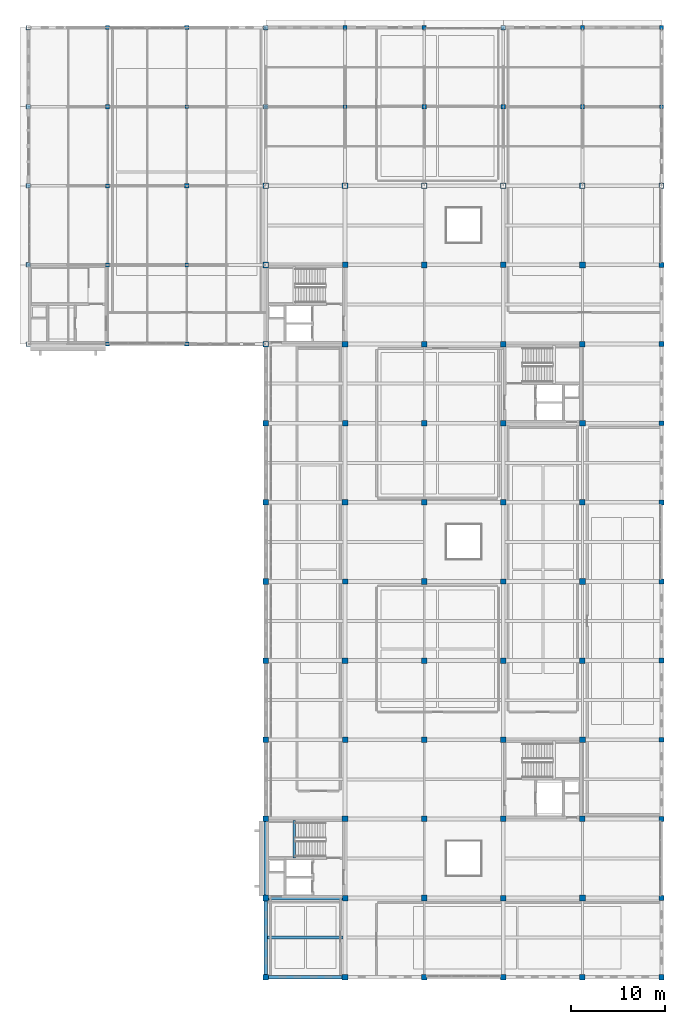
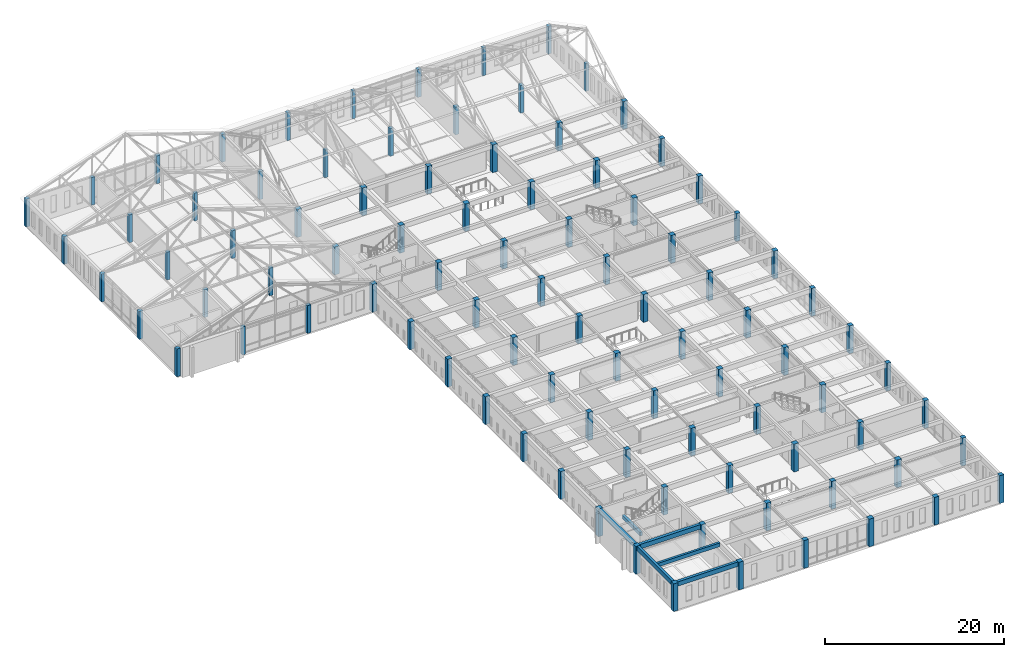
# One storey, part 1 of 56: 93 columns, 6 beams.
"""IFC4 building model written with IfcOpenShell, lengths in metres."""

from ifc_helpers import new_model, si_unit, direction, frame, origin, origin_2d, place, context, subcontext, project, spatial, rectangle, extrude, material, material_profile, profile_set, type_object, element, save


model = new_model("IFC4")

# Units and contexts
model_context = context("Model", 3, precision=1e-05, world=origin(), true_north=direction((0.0, 1.0)))
body_context = subcontext(model_context, "Body", "Model", "MODEL_VIEW")
ifc_project = project(units=[si_unit("LENGTHUNIT", "METRE"), si_unit("AREAUNIT", "SQUARE_METRE"), si_unit("VOLUMEUNIT", "CUBIC_METRE"), si_unit("PLANEANGLEUNIT", "RADIAN"), si_unit("MASSUNIT", "GRAM", prefix="KILO")], contexts=[model_context])

# Site, building, storey
site_placement = place(None, origin())
site = spatial("IfcSite", under=ifc_project, at=site_placement, CompositionType="ELEMENT")
building_placement = place(site_placement, origin())
building = spatial("IfcBuilding", under=site, at=building_placement, Name="Kveldsbrygga Polytechnic", CompositionType="ELEMENT")
storey_placement = place(building_placement, frame((0.0, 0.0, 18.02001953125)))
storey = spatial("IfcBuildingStorey", under=building, at=storey_placement, Name="L04", CompositionType="ELEMENT", Elevation=18.02001953125)

# Columns
ifc_material_1 = material(Name="Concrete C45/55", Category="concrete")
ifc_material_profile_1 = material_profile(ifc_material_1, rectangle(XDim=0.39990234375, YDim=0.39990234375, at=origin_2d()), Name="RC 400x400")
ifc_profile_set_1 = profile_set([ifc_material_profile_1], Name="Concrete C45/55")
column_type_1 = type_object("IfcColumnType", Name="COL-RC-400", PredefinedType="COLUMN", material=ifc_profile_set_1)
for number, where, z_axis, x_axis, name in (
    (1, (117.60009765625, 92.39990234375, 0.0), (0.0, 0.0, 1.0), (1.0, 0.0, 0.0), "Column COL-L04-14-11"),
    (2, (117.60009765625, 109.199951171875, 0.0), (0.0, 0.0, 1.0), (1.0, 0.0, 0.0), "Column COL-L04-14-13"),
    (3, (134.39990234375, 109.199951171875, 0.0), (0.0, 0.0, 1.0), (1.0, 0.0, 0.0), "Column COL-L04-16-13"),
    (4, (168.0, 109.199951171875, 0.0), (0.0, 0.0, 1.0), (1.0, 0.0, 0.0), "Column COL-L04-20-13"),
):
    element("IfcColumn", number, at=place(storey_placement, frame(where, z_axis=z_axis, x_axis=x_axis)), inside=storey, type_object=column_type_1, Name=name, PredefinedType="COLUMN", context=body_context, shape_type="SweptSolid", body=[
        extrude(rectangle(XDim=0.39990234375, YDim=0.39990234375, at=origin_2d()), origin(), (0.0, 0.0, 1.0), 3.780029296875),
    ])
ifc_material_profile_2 = material_profile(ifc_material_1, rectangle(XDim=0.419921875, YDim=0.419921875, at=origin_2d()), Name="RC 420x420")
ifc_profile_set_2 = profile_set([ifc_material_profile_2], Name="Concrete C45/55")
column_type_2 = type_object("IfcColumnType", Name="COL-RC-420", PredefinedType="COLUMN", material=ifc_profile_set_2)
for number, where, z_axis, x_axis, name in (
    (5, (109.199951171875, 84.0, 0.0), (0.0, 0.0, 1.0), (1.0, 0.0, 0.0), "Column COL-L04-13-10"),
    (6, (109.199951171875, 100.800048828125, 0.0), (0.0, 0.0, 1.0), (1.0, 0.0, 0.0), "Column COL-L04-13-12"),
    (7, (109.199951171875, 117.60009765625, 0.0), (0.0, 0.0, 1.0), (1.0, 0.0, 0.0), "Column COL-L04-13-14"),
    (8, (142.800048828125, 117.60009765625, 0.0), (0.0, 0.0, 1.0), (1.0, 0.0, 0.0), "Column COL-L04-17-14"),
    (9, (159.60009765625, 117.60009765625, 0.0), (0.0, 0.0, 1.0), (1.0, 0.0, 0.0), "Column COL-L04-19-14"),
):
    element("IfcColumn", number, at=place(storey_placement, frame(where, z_axis=z_axis, x_axis=x_axis)), inside=storey, type_object=column_type_2, Name=name, PredefinedType="COLUMN", context=body_context, shape_type="SweptSolid", body=[
        extrude(rectangle(XDim=0.419921875, YDim=0.419921875, at=origin_2d()), origin(), (0.0, 0.0, 1.0), 3.780029296875),
    ])
ifc_material_profile_3 = material_profile(ifc_material_1, rectangle(XDim=0.449951171875, YDim=0.449951171875, at=origin_2d()), Name="RC 450x450")
ifc_profile_set_3 = profile_set([ifc_material_profile_3], Name="Concrete C45/55")
column_type_3 = type_object("IfcColumnType", Name="COL-RC-450", PredefinedType="COLUMN", material=ifc_profile_set_3)
for number, where, z_axis, x_axis, name in (
    (10, (109.199951171875, 92.39990234375, 0.0), (0.0, 0.0, 1.0), (1.0, 0.0, 0.0), "Column COL-L04-13-11"),
    (11, (109.199951171875, 109.199951171875, 0.0), (0.0, 0.0, 1.0), (1.0, 0.0, 0.0), "Column COL-L04-13-13"),
    (12, (117.60009765625, 84.0, 0.0), (0.0, 0.0, 1.0), (1.0, 0.0, 0.0), "Column COL-L04-14-10"),
    (13, (117.60009765625, 100.800048828125, 0.0), (0.0, 0.0, 1.0), (1.0, 0.0, 0.0), "Column COL-L04-14-12"),
    (14, (117.60009765625, 117.60009765625, 0.0), (0.0, 0.0, 1.0), (1.0, 0.0, 0.0), "Column COL-L04-14-14"),
    (15, (134.39990234375, 117.60009765625, 0.0), (0.0, 0.0, 1.0), (1.0, 0.0, 0.0), "Column COL-L04-16-14"),
    (16, (142.800048828125, 109.199951171875, 0.0), (0.0, 0.0, 1.0), (1.0, 0.0, 0.0), "Column COL-L04-17-13"),
    (17, (159.60009765625, 109.199951171875, 0.0), (0.0, 0.0, 1.0), (1.0, 0.0, 0.0), "Column COL-L04-19-13"),
    (18, (168.0, 117.60009765625, 0.0), (0.0, 0.0, 1.0), (1.0, 0.0, 0.0), "Column COL-L04-20-14"),
):
    element("IfcColumn", number, at=place(storey_placement, frame(where, z_axis=z_axis, x_axis=x_axis)), inside=storey, type_object=column_type_3, Name=name, PredefinedType="COLUMN", context=body_context, shape_type="SweptSolid", body=[
        extrude(rectangle(XDim=0.449951171875, YDim=0.449951171875, at=origin_2d()), origin(), (0.0, 0.0, 1.0), 3.780029296875),
    ])
ifc_material_profile_4 = material_profile(ifc_material_1, rectangle(XDim=0.47998046875, YDim=0.47998046875, at=origin_2d()), Name="RC 480x480")
ifc_profile_set_4 = profile_set([ifc_material_profile_4], Name="Concrete C45/55")
column_type_4 = type_object("IfcColumnType", Name="COL-RC-480", PredefinedType="COLUMN", material=ifc_profile_set_4)
for number, where, z_axis, x_axis, name in (
    (19, (100.800048828125, 84.0, 0.0), (0.0, 0.0, 1.0), (1.0, 0.0, 0.0), "Column COL-L04-12-10"),
    (20, (100.800048828125, 92.39990234375, 0.0), (0.0, 0.0, 1.0), (1.0, 0.0, 0.0), "Column COL-L04-12-11"),
    (21, (100.800048828125, 100.800048828125, 0.0), (0.0, 0.0, 1.0), (1.0, 0.0, 0.0), "Column COL-L04-12-12"),
    (22, (100.800048828125, 109.199951171875, 0.0), (0.0, 0.0, 1.0), (1.0, 0.0, 0.0), "Column COL-L04-12-13"),
    (23, (100.800048828125, 117.60009765625, 0.0), (0.0, 0.0, 1.0), (1.0, 0.0, 0.0), "Column COL-L04-12-14"),
    (24, (126.0, 109.199951171875, 0.0), (0.0, 0.0, 1.0), (1.0, 0.0, 0.0), "Column COL-L04-15-13"),
    (25, (126.0, 117.60009765625, 0.0), (0.0, 0.0, 1.0), (1.0, 0.0, 0.0), "Column COL-L04-15-14"),
    (26, (151.199951171875, 109.199951171875, 0.0), (0.0, 0.0, 1.0), (1.0, 0.0, 0.0), "Column COL-L04-18-13"),
    (27, (151.199951171875, 117.60009765625, 0.0), (0.0, 0.0, 1.0), (1.0, 0.0, 0.0), "Column COL-L04-18-14"),
):
    element("IfcColumn", number, at=place(storey_placement, frame(where, z_axis=z_axis, x_axis=x_axis)), inside=storey, type_object=column_type_4, Name=name, PredefinedType="COLUMN", context=body_context, shape_type="SweptSolid", body=[
        extrude(rectangle(XDim=0.47998046875, YDim=0.47998046875, at=origin_2d()), origin(), (0.0, 0.0, 1.0), 3.780029296875),
    ])
ifc_material_profile_5 = material_profile(ifc_material_1, rectangle(XDim=0.52001953125, YDim=0.52001953125, at=origin_2d()), Name="RC 520x520")
ifc_profile_set_5 = profile_set([ifc_material_profile_5], Name="Concrete C45/55")
column_type_5 = type_object("IfcColumnType", Name="COL-RC-520", PredefinedType="COLUMN", material=ifc_profile_set_5)
for number, where, z_axis, x_axis, name in (
    (28, (168.0, 25.199951171875, 0.0), (0.0, 0.0, 1.0), (1.0, 0.0, 0.0), "Column COL-L04-20-03"),
    (29, (168.0, 42.0, 0.0), (0.0, 0.0, 1.0), (1.0, 0.0, 0.0), "Column COL-L04-20-05"),
    (30, (168.0, 58.800048828125, 0.0), (0.0, 0.0, 1.0), (1.0, 0.0, 0.0), "Column COL-L04-20-07"),
    (31, (168.0, 75.60009765625, 0.0), (0.0, 0.0, 1.0), (1.0, 0.0, 0.0), "Column COL-L04-20-09"),
    (32, (168.0, 92.39990234375, 0.0), (0.0, 0.0, 1.0), (1.0, 0.0, 0.0), "Column COL-L04-20-11"),
):
    element("IfcColumn", number, at=place(storey_placement, frame(where, z_axis=z_axis, x_axis=x_axis)), inside=storey, type_object=column_type_5, Name=name, PredefinedType="COLUMN", context=body_context, shape_type="SweptSolid", body=[
        extrude(rectangle(XDim=0.52001953125, YDim=0.52001953125, at=origin_2d()), origin(), (0.0, 0.0, 1.0), 3.780029296875),
    ])
ifc_material_profile_6 = material_profile(ifc_material_1, rectangle(XDim=0.550048828125, YDim=0.550048828125, at=origin_2d()), Name="RC 550x550")
ifc_profile_set_6 = profile_set([ifc_material_profile_6], Name="Concrete C45/55")
column_type_6 = type_object("IfcColumnType", Name="COL-RC-550", PredefinedType="COLUMN", material=ifc_profile_set_6)
for number, where, z_axis, x_axis, name in (
    (33, (168.0, 16.800048828125, 0.0), (0.0, 0.0, 1.0), (1.0, 0.0, 0.0), "Column COL-L04-20-02"),
    (34, (168.0, 33.60009765625, 0.0), (0.0, 0.0, 1.0), (1.0, 0.0, 0.0), "Column COL-L04-20-04"),
    (35, (168.0, 50.39990234375, 0.0), (0.0, 0.0, 1.0), (1.0, 0.0, 0.0), "Column COL-L04-20-06"),
    (36, (168.0, 67.199951171875, 0.0), (0.0, 0.0, 1.0), (1.0, 0.0, 0.0), "Column COL-L04-20-08"),
    (37, (168.0, 84.0, 0.0), (0.0, 0.0, 1.0), (1.0, 0.0, 0.0), "Column COL-L04-20-10"),
    (38, (168.0, 100.800048828125, 0.0), (0.0, 0.0, 1.0), (1.0, 0.0, 0.0), "Column COL-L04-20-12"),
):
    element("IfcColumn", number, at=place(storey_placement, frame(where, z_axis=z_axis, x_axis=x_axis)), inside=storey, type_object=column_type_6, Name=name, PredefinedType="COLUMN", context=body_context, shape_type="SweptSolid", body=[
        extrude(rectangle(XDim=0.550048828125, YDim=0.550048828125, at=origin_2d()), origin(), (0.0, 0.0, 1.0), 3.780029296875),
    ])
ifc_material_profile_7 = material_profile(ifc_material_1, rectangle(XDim=0.580078125, YDim=0.580078125, at=origin_2d()), Name="RC 580x580")
ifc_profile_set_7 = profile_set([ifc_material_profile_7], Name="Concrete C45/55")
column_type_7 = type_object("IfcColumnType", Name="COL-RC-580", PredefinedType="COLUMN", material=ifc_profile_set_7)
for number, where, z_axis, x_axis, name in (
    (39, (126.0, 16.800048828125, 0.0), (0.0, 0.0, 1.0), (1.0, 0.0, 0.0), "Column COL-L04-15-02"),
    (40, (126.0, 33.60009765625, 0.0), (0.0, 0.0, 1.0), (1.0, 0.0, 0.0), "Column COL-L04-15-04"),
    (41, (126.0, 50.39990234375, 0.0), (0.0, 0.0, 1.0), (1.0, 0.0, 0.0), "Column COL-L04-15-06"),
    (42, (126.0, 67.199951171875, 0.0), (0.0, 0.0, 1.0), (1.0, 0.0, 0.0), "Column COL-L04-15-08"),
    (43, (126.0, 84.0, 0.0), (0.0, 0.0, 1.0), (1.0, 0.0, 0.0), "Column COL-L04-15-10"),
    (44, (126.0, 100.800048828125, 0.0), (0.0, 0.0, 1.0), (1.0, 0.0, 0.0), "Column COL-L04-15-12"),
    (45, (134.39990234375, 25.199951171875, 0.0), (0.0, 0.0, 1.0), (1.0, 0.0, 0.0), "Column COL-L04-16-03"),
    (46, (134.39990234375, 42.0, 0.0), (0.0, 0.0, 1.0), (1.0, 0.0, 0.0), "Column COL-L04-16-05"),
    (47, (134.39990234375, 58.800048828125, 0.0), (0.0, 0.0, 1.0), (1.0, 0.0, 0.0), "Column COL-L04-16-07"),
    (48, (134.39990234375, 75.60009765625, 0.0), (0.0, 0.0, 1.0), (1.0, 0.0, 0.0), "Column COL-L04-16-09"),
    (49, (134.39990234375, 92.39990234375, 0.0), (0.0, 0.0, 1.0), (1.0, 0.0, 0.0), "Column COL-L04-16-11"),
    (50, (142.800048828125, 16.800048828125, 0.0), (0.0, 0.0, 1.0), (1.0, 0.0, 0.0), "Column COL-L04-17-02"),
    (51, (142.800048828125, 33.60009765625, 0.0), (0.0, 0.0, 1.0), (1.0, 0.0, 0.0), "Column COL-L04-17-04"),
    (52, (142.800048828125, 50.39990234375, 0.0), (0.0, 0.0, 1.0), (1.0, 0.0, 0.0), "Column COL-L04-17-06"),
    (53, (142.800048828125, 67.199951171875, 0.0), (0.0, 0.0, 1.0), (1.0, 0.0, 0.0), "Column COL-L04-17-08"),
    (54, (142.800048828125, 84.0, 0.0), (0.0, 0.0, 1.0), (1.0, 0.0, 0.0), "Column COL-L04-17-10"),
    (55, (142.800048828125, 100.800048828125, 0.0), (0.0, 0.0, 1.0), (1.0, 0.0, 0.0), "Column COL-L04-17-12"),
    (56, (151.199951171875, 25.199951171875, 0.0), (0.0, 0.0, 1.0), (1.0, 0.0, 0.0), "Column COL-L04-18-03"),
    (57, (151.199951171875, 42.0, 0.0), (0.0, 0.0, 1.0), (1.0, 0.0, 0.0), "Column COL-L04-18-05"),
    (58, (151.199951171875, 58.800048828125, 0.0), (0.0, 0.0, 1.0), (1.0, 0.0, 0.0), "Column COL-L04-18-07"),
    (59, (151.199951171875, 75.60009765625, 0.0), (0.0, 0.0, 1.0), (1.0, 0.0, 0.0), "Column COL-L04-18-09"),
    (60, (151.199951171875, 92.39990234375, 0.0), (0.0, 0.0, 1.0), (1.0, 0.0, 0.0), "Column COL-L04-18-11"),
    (61, (159.60009765625, 16.800048828125, 0.0), (0.0, 0.0, 1.0), (1.0, 0.0, 0.0), "Column COL-L04-19-02"),
    (62, (159.60009765625, 33.60009765625, 0.0), (0.0, 0.0, 1.0), (1.0, 0.0, 0.0), "Column COL-L04-19-04"),
    (63, (159.60009765625, 50.39990234375, 0.0), (0.0, 0.0, 1.0), (1.0, 0.0, 0.0), "Column COL-L04-19-06"),
    (64, (159.60009765625, 67.199951171875, 0.0), (0.0, 0.0, 1.0), (1.0, 0.0, 0.0), "Column COL-L04-19-08"),
    (65, (159.60009765625, 84.0, 0.0), (0.0, 0.0, 1.0), (1.0, 0.0, 0.0), "Column COL-L04-19-10"),
    (66, (159.60009765625, 100.800048828125, 0.0), (0.0, 0.0, 1.0), (1.0, 0.0, 0.0), "Column COL-L04-19-12"),
):
    element("IfcColumn", number, at=place(storey_placement, frame(where, z_axis=z_axis, x_axis=x_axis)), inside=storey, type_object=column_type_7, Name=name, PredefinedType="COLUMN", context=body_context, shape_type="SweptSolid", body=[
        extrude(rectangle(XDim=0.580078125, YDim=0.580078125, at=origin_2d()), origin(), (0.0, 0.0, 1.0), 3.780029296875),
    ])
ifc_material_profile_8 = material_profile(ifc_material_1, rectangle(XDim=0.60009765625, YDim=0.60009765625, at=origin_2d()), Name="RC 600x600")
ifc_profile_set_8 = profile_set([ifc_material_profile_8], Name="Concrete C45/55")
column_type_8 = type_object("IfcColumnType", Name="COL-RC-600", PredefinedType="COLUMN", material=ifc_profile_set_8)
for number, where, z_axis, x_axis, name in (
    (67, (126.0, 25.199951171875, 0.0), (0.0, 0.0, 1.0), (1.0, 0.0, 0.0), "Column COL-L04-15-03"),
    (68, (126.0, 42.0, 0.0), (0.0, 0.0, 1.0), (1.0, 0.0, 0.0), "Column COL-L04-15-05"),
    (69, (126.0, 58.800048828125, 0.0), (0.0, 0.0, 1.0), (1.0, 0.0, 0.0), "Column COL-L04-15-07"),
    (70, (126.0, 75.60009765625, 0.0), (0.0, 0.0, 1.0), (1.0, 0.0, 0.0), "Column COL-L04-15-09"),
    (71, (126.0, 92.39990234375, 0.0), (0.0, 0.0, 1.0), (1.0, 0.0, 0.0), "Column COL-L04-15-11"),
    (72, (134.39990234375, 16.800048828125, 0.0), (0.0, 0.0, 1.0), (1.0, 0.0, 0.0), "Column COL-L04-16-02"),
    (73, (134.39990234375, 33.60009765625, 0.0), (0.0, 0.0, 1.0), (1.0, 0.0, 0.0), "Column COL-L04-16-04"),
    (74, (134.39990234375, 50.39990234375, 0.0), (0.0, 0.0, 1.0), (1.0, 0.0, 0.0), "Column COL-L04-16-06"),
    (75, (134.39990234375, 67.199951171875, 0.0), (0.0, 0.0, 1.0), (1.0, 0.0, 0.0), "Column COL-L04-16-08"),
    (76, (134.39990234375, 84.0, 0.0), (0.0, 0.0, 1.0), (1.0, 0.0, 0.0), "Column COL-L04-16-10"),
    (77, (134.39990234375, 100.800048828125, 0.0), (0.0, 0.0, 1.0), (1.0, 0.0, 0.0), "Column COL-L04-16-12"),
    (78, (142.800048828125, 25.199951171875, 0.0), (0.0, 0.0, 1.0), (1.0, 0.0, 0.0), "Column COL-L04-17-03"),
    (79, (142.800048828125, 42.0, 0.0), (0.0, 0.0, 1.0), (1.0, 0.0, 0.0), "Column COL-L04-17-05"),
    (80, (142.800048828125, 58.800048828125, 0.0), (0.0, 0.0, 1.0), (1.0, 0.0, 0.0), "Column COL-L04-17-07"),
    (81, (142.800048828125, 75.60009765625, 0.0), (0.0, 0.0, 1.0), (1.0, 0.0, 0.0), "Column COL-L04-17-09"),
    (82, (142.800048828125, 92.39990234375, 0.0), (0.0, 0.0, 1.0), (1.0, 0.0, 0.0), "Column COL-L04-17-11"),
    (83, (151.199951171875, 16.800048828125, 0.0), (0.0, 0.0, 1.0), (1.0, 0.0, 0.0), "Column COL-L04-18-02"),
    (84, (151.199951171875, 33.60009765625, 0.0), (0.0, 0.0, 1.0), (1.0, 0.0, 0.0), "Column COL-L04-18-04"),
    (85, (151.199951171875, 50.39990234375, 0.0), (0.0, 0.0, 1.0), (1.0, 0.0, 0.0), "Column COL-L04-18-06"),
    (86, (151.199951171875, 67.199951171875, 0.0), (0.0, 0.0, 1.0), (1.0, 0.0, 0.0), "Column COL-L04-18-08"),
    (87, (151.199951171875, 84.0, 0.0), (0.0, 0.0, 1.0), (1.0, 0.0, 0.0), "Column COL-L04-18-10"),
    (88, (151.199951171875, 100.800048828125, 0.0), (0.0, 0.0, 1.0), (1.0, 0.0, 0.0), "Column COL-L04-18-12"),
    (89, (159.60009765625, 25.199951171875, 0.0), (0.0, 0.0, 1.0), (1.0, 0.0, 0.0), "Column COL-L04-19-03"),
    (90, (159.60009765625, 42.0, 0.0), (0.0, 0.0, 1.0), (1.0, 0.0, 0.0), "Column COL-L04-19-05"),
    (91, (159.60009765625, 58.800048828125, 0.0), (0.0, 0.0, 1.0), (1.0, 0.0, 0.0), "Column COL-L04-19-07"),
    (92, (159.60009765625, 75.60009765625, 0.0), (0.0, 0.0, 1.0), (1.0, 0.0, 0.0), "Column COL-L04-19-09"),
    (93, (159.60009765625, 92.39990234375, 0.0), (0.0, 0.0, 1.0), (1.0, 0.0, 0.0), "Column COL-L04-19-11"),
):
    element("IfcColumn", number, at=place(storey_placement, frame(where, z_axis=z_axis, x_axis=x_axis)), inside=storey, type_object=column_type_8, Name=name, PredefinedType="COLUMN", context=body_context, shape_type="SweptSolid", body=[
        extrude(rectangle(XDim=0.60009765625, YDim=0.60009765625, at=origin_2d()), origin(), (0.0, 0.0, 1.0), 3.780029296875),
    ])

# Beams
ifc_material_2 = material(Name="Concrete C35/45", Category="concrete")
ifc_material_profile_9 = material_profile(ifc_material_2, rectangle(XDim=0.3798828125, YDim=0.6201171875, at=origin_2d()), Name="RC 380x620")
ifc_profile_set_9 = profile_set([ifc_material_profile_9], Name="Concrete C35/45")
beam_type_1 = type_object("IfcBeamType", Name="BM-RC-380x620", PredefinedType="BEAM", material=ifc_profile_set_9)
beam_1_placement = place(storey_placement, frame((126.0, 25.199951171875, 3.469970703125), z_axis=(1.0, 0.0, 0.0), x_axis=(0.0, 1.0, 0.0)))
element("IfcBeam", 94, at=beam_1_placement, inside=storey, type_object=beam_type_1, Name="Primary Beam BMX-L04-15to16-03", PredefinedType="BEAM", context=body_context, shape_type="SweptSolid", body=[
    extrude(rectangle(XDim=0.3798828125, YDim=0.6201171875, at=origin_2d()), origin(), (0.0, 0.0, 1.0), 8.39990234375),
])
ifc_material_profile_10 = material_profile(ifc_material_2, rectangle(XDim=0.35009765625, YDim=0.60009765625, at=origin_2d()), Name="RC 350x600")
ifc_profile_set_10 = profile_set([ifc_material_profile_10], Name="Concrete C35/45")
beam_type_2 = type_object("IfcBeamType", Name="BM-SPANDREL-600", PredefinedType="T_BEAM", material=ifc_profile_set_10)
for number, where, z_axis, x_axis, name in (
    (95, (126.0, 16.800048828125, 3.47998046875), (1.0, 0.0, 0.0), (0.0, 1.0, 0.0), "Primary Beam BMX-L04-15to16-02"),
    (96, (126.0, 16.800048828125, 3.47998046875), (0.0, 1.0, 0.0), (-1.0, 0.0, 0.0), "Primary Beam BMY-L04-15-02to03"),
):
    element("IfcBeam", number, at=place(storey_placement, frame(where, z_axis=z_axis, x_axis=x_axis)), inside=storey, type_object=beam_type_2, Name=name, PredefinedType="T_BEAM", context=body_context, shape_type="SweptSolid", body=[
        extrude(rectangle(XDim=0.35009765625, YDim=0.60009765625, at=origin_2d()), origin(), (0.0, 0.0, 1.0), 8.39990234375),
    ])
beam_2_placement = place(storey_placement, frame((126.0, 25.199951171875, 3.47998046875), z_axis=(0.0, 1.0, 0.0), x_axis=(-1.0, 0.0, 0.0)))
element("IfcBeam", 97, at=beam_2_placement, inside=storey, type_object=beam_type_2, Name="Primary Beam BMY-L04-15-03to04", PredefinedType="T_BEAM", context=body_context, shape_type="SweptSolid", body=[
    extrude(rectangle(XDim=0.35009765625, YDim=0.60009765625, at=origin_2d()), origin(), (0.0, 0.0, 1.0), 8.400146484375),
])
ifc_material_profile_11 = material_profile(ifc_material_2, rectangle(XDim=0.300048828125, YDim=0.5, at=origin_2d()), Name="RC 300x500")
ifc_profile_set_11 = profile_set([ifc_material_profile_11], Name="Concrete C35/45")
beam_type_3 = type_object("IfcBeamType", Name="JST-RC-300x500", PredefinedType="JOIST", material=ifc_profile_set_11)
beam_3_placement = place(storey_placement, frame((126.175048828125, 21.0, 3.530029296875), z_axis=(1.0, 0.0, 0.0), x_axis=(0.0, 1.0, 0.0)))
element("IfcBeam", 98, at=beam_3_placement, inside=storey, type_object=beam_type_3, Name="Secondary Joist JST-L04-15-02", PredefinedType="JOIST", context=body_context, shape_type="SweptSolid", body=[
    extrude(rectangle(XDim=0.300048828125, YDim=0.5, at=origin_2d()), origin(), (0.0, 0.0, 1.0), 8.02490234375),
])
ifc_material_profile_12 = material_profile(ifc_material_2, rectangle(XDim=0.300048828125, YDim=0.5, at=origin_2d()), Name="RC 300x500")
ifc_profile_set_12 = profile_set([ifc_material_profile_12], Name="Concrete C35/45")
beam_type_4 = type_object("IfcBeamType", Name="LNT-RC-300x500", PredefinedType="LINTEL", material=ifc_profile_set_12)
beam_4_placement = place(storey_placement, frame((129.010009765625, 29.429931640625, 1.590087890625), z_axis=(0.0, 1.0, 0.0), x_axis=(-1.0, 0.0, 0.0)))
element("IfcBeam", 99, at=beam_4_placement, inside=storey, type_object=beam_type_4, Name="Stair Landing Support Beam C1-L04-LNDB-1-1", PredefinedType="LINTEL", context=body_context, shape_type="SweptSolid", body=[
    extrude(rectangle(XDim=0.300048828125, YDim=0.5, at=origin_2d()), origin(), (0.0, 0.0, 1.0), 4.02001953125),
])

save(model, "model.ifc")
